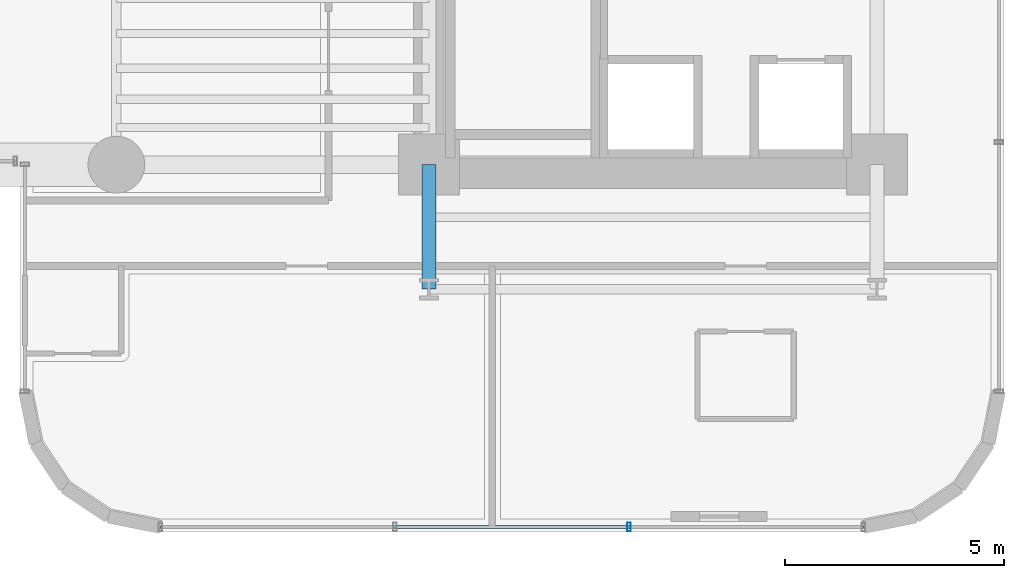
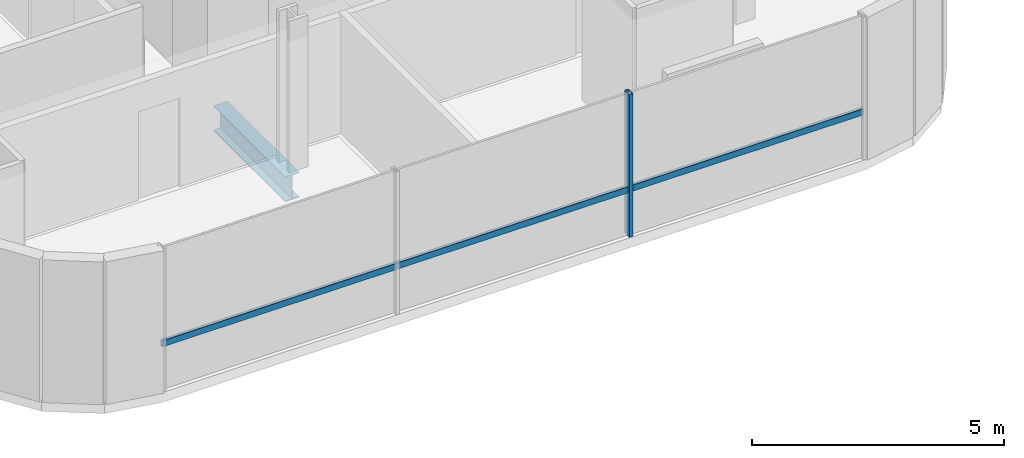
# One storey, part 3 of 40: 2 members, 1 beam, 1 element without a shape of its own.
"""IFC4 building model written with IfcOpenShell, lengths in metres."""

from ifc_helpers import new_model, si_unit, direction, frame, origin, origin_2d, place, context, subcontext, project, spatial, hollow_rectangle, i_section, extrude, source, transform, mapped, material, material_profile, profile_set, type_object, element, aggregate, save


model = new_model("IFC4")

# Units and contexts
model_context = context("Model", 3, precision=1e-05, world=origin(), true_north=direction((0.0, 1.0)))
body_context = subcontext(model_context, "Body", "Model", "MODEL_VIEW")
ifc_project = project(units=[si_unit("LENGTHUNIT", "METRE"), si_unit("AREAUNIT", "SQUARE_METRE"), si_unit("VOLUMEUNIT", "CUBIC_METRE"), si_unit("PLANEANGLEUNIT", "RADIAN"), si_unit("MASSUNIT", "GRAM", prefix="KILO")], contexts=[model_context])

# Site, building, storey
site_placement = place(None, origin())
site = spatial("IfcSite", under=ifc_project, at=site_placement, CompositionType="ELEMENT")
building_placement = place(site_placement, origin())
building = spatial("IfcBuilding", under=site, at=building_placement, Name="Valdorenza Pilgrim Sanctuary Tower", CompositionType="ELEMENT")
storey_placement = place(building_placement, frame((0.0, 0.0, 92.60009765625)))
storey = spatial("IfcBuildingStorey", under=building, at=storey_placement, Name="L23", CompositionType="ELEMENT", Elevation=92.60009765625)

# Beam
ifc_material_1 = material(Name="Steel ASTM A992 Grade 50", Category="steel")
ifc_material_profile_1 = material_profile(ifc_material_1, i_section(OverallWidth=0.323974609375, OverallDepth=0.611083984375, WebThickness=0.0126953125, FlangeThickness=0.01904296875, at=origin_2d()), Name="W24X104")
ifc_profile_set_1 = profile_set([ifc_material_profile_1], Name="Steel ASTM A992 Grade 50")
beam_type = type_object("IfcBeamType", Name="STR-BM-GRD-W24B", PredefinedType="BEAM", material=ifc_profile_set_1)
shared_shape_1 = source(origin(), body_context, "Body", "SweptSolid", [
    extrude(i_section(OverallWidth=0.323974609375, OverallDepth=0.611083984375, WebThickness=0.0126953125, FlangeThickness=0.01904296875, at=origin_2d()), origin(), (0.0, 0.0, 1.0), 2.849853515625),
])
beam_placement = place(storey_placement, frame((-22.64990234375, -13.449951171875, -0.545654296875), z_axis=(0.0, 1.0, 0.0), x_axis=(-1.0, 0.0, 0.0)))
element("IfcBeam", 1, at=beam_placement, inside=storey, type_object=beam_type, Name="L23 Floor Girder WA-S-LW", PredefinedType="BEAM", context=body_context, shape_type="MappedRepresentation", body=[
    mapped(shared_shape_1, transform((0.0, 0.0, 0.0), x_axis=(1.0, 0.0, 0.0), y_axis=(0.0, 1.0, 0.0), z_axis=(0.0, 0.0, 1.0), scale=1.0)),
])

# Curtain wall, members
ifc_material_2 = material(Name="Curtain-wall IGU glazing", Category="glass")
curtain_wall_type = type_object("IfcCurtainWallType", Name="CW-SYS-02", PredefinedType="NOTDEFINED", material=ifc_material_2)
curtain_wall_placement = place(storey_placement, origin())
curtain_wall = element("IfcCurtainWall", 2, at=curtain_wall_placement, inside=storey, type_object=curtain_wall_type, Name="L23 Curtain Wall CW-L23-1-46", PredefinedType="NOTDEFINED")
ifc_material_3 = material(Name="Anodised aluminium AW-6060", Category="aluminium")
ifc_material_profile_2 = material_profile(ifc_material_3, hollow_rectangle(XDim=0.0849609375, YDim=0.199951171875, WallThickness=0.0048828125, at=origin_2d()), Name="ALU-M 200x85x5")
ifc_profile_set_2 = profile_set([ifc_material_profile_2], Name="Anodised aluminium AW-6060")
member_type_1 = type_object("IfcMemberType", Name="CW-MUL-02", PredefinedType="MULLION", material=ifc_profile_set_2)
shared_shape_2 = source(origin(), body_context, "Body", "SweptSolid", [
    extrude(hollow_rectangle(XDim=0.0849609375, YDim=0.199951171875, WallThickness=0.0048828125, at=origin_2d()), origin(), (0.0, 0.0, 1.0), 3.4599609375),
])
member_1_placement = place(storey_placement, frame((-18.0703125, -18.889892578125, 0.0), z_axis=(0.0, 0.0, 1.0), x_axis=(-1.0, 0.0, 0.0)))
member_1 = element("IfcMember", 3, at=member_1_placement, type_object=member_type_1, Name="CW-L23-1-46 Mullion 2", PredefinedType="MULLION", context=body_context, shape_type="MappedRepresentation", body=[
    mapped(shared_shape_2, transform((0.0, 0.0, 0.0), x_axis=(1.0, 0.0, 0.0), y_axis=(0.0, 1.0, 0.0), z_axis=(0.0, 0.0, 1.0), scale=1.0)),
])
ifc_material_profile_3 = material_profile(ifc_material_3, hollow_rectangle(XDim=0.074951171875, YDim=0.14990234375, WallThickness=0.00390625, at=origin_2d()), Name="ALU-T 150x75x4")
ifc_profile_set_3 = profile_set([ifc_material_profile_3], Name="Anodised aluminium AW-6060")
member_type_2 = type_object("IfcMemberType", Name="CW-TRN-02", PredefinedType="USERDEFINED", material=ifc_profile_set_3)
shared_shape_3 = source(origin(), body_context, "Body", "SweptSolid", [
    extrude(hollow_rectangle(XDim=0.074951171875, YDim=0.14990234375, WallThickness=0.00390625, at=origin_2d()), origin(), (0.0, 0.0, 1.0), 16.07861328125),
])
member_2_placement = place(storey_placement, frame((-12.710693359375, -18.889892578125, 1.119873046875), z_axis=(-1.0, 0.0, 0.0), x_axis=(0.0, -1.0, 0.0)))
member_2 = element("IfcMember", 4, at=member_2_placement, type_object=member_type_2, Name="CW-L23-1-46 Transom 1", ObjectType="TRANSOM", PredefinedType="USERDEFINED", context=body_context, shape_type="MappedRepresentation", body=[
    mapped(shared_shape_3, transform((0.0, 0.0, 0.0), x_axis=(1.0, 0.0, 0.0), y_axis=(0.0, 1.0, 0.0), z_axis=(0.0, 0.0, 1.0), scale=1.0)),
])
aggregate(curtain_wall, [member_1, member_2])

save(model, "model.ifc")
